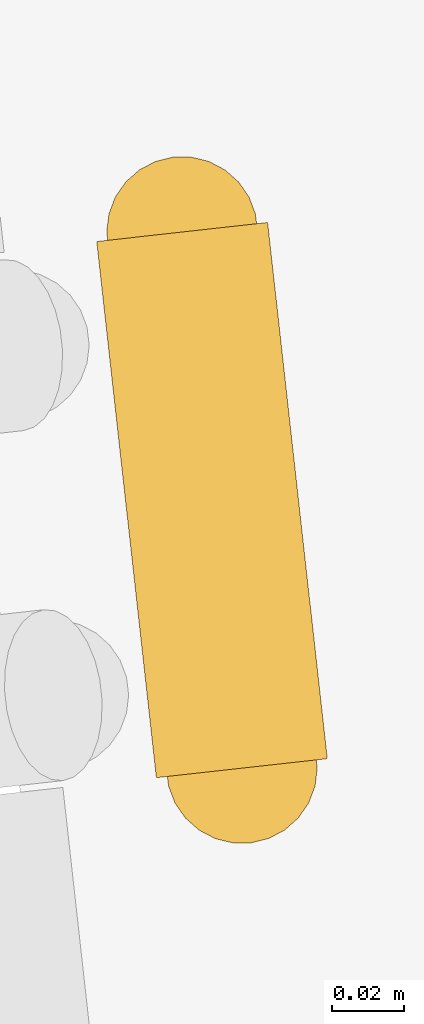
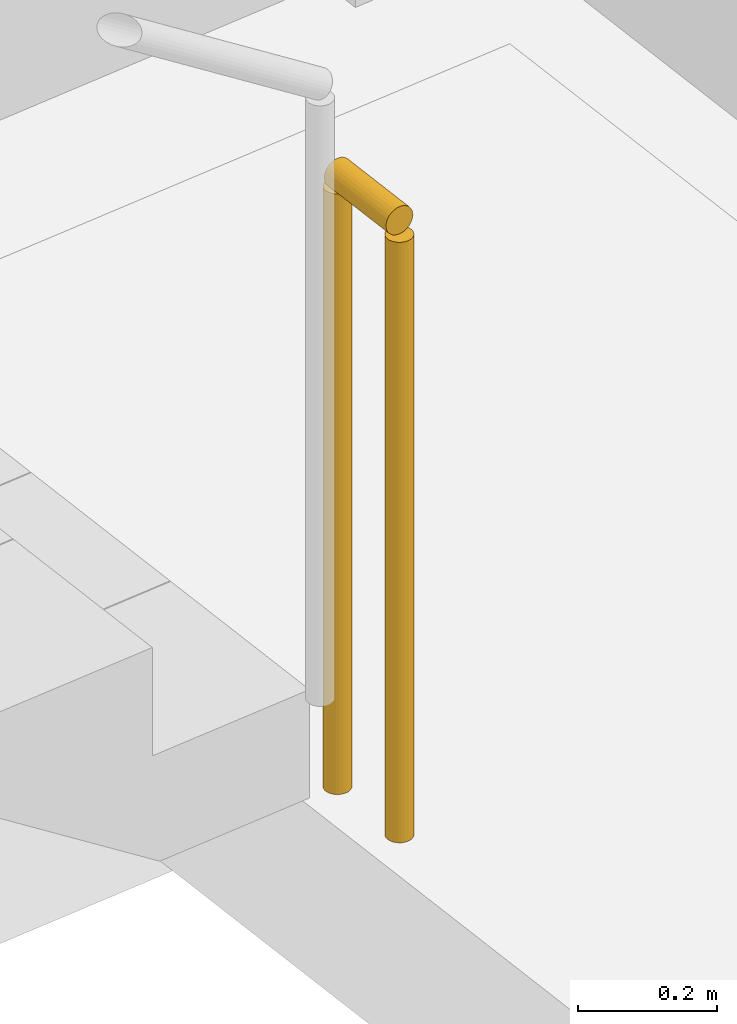
# One storey, part 16 of 20: 1 railing.
"""IFC4 building model written with IfcOpenShell, lengths in metres."""

import ifcopenshell
import ifcopenshell.guid

model = None  # the IFC model being written
_history = None  # IfcOwnerHistory: only IFC2X3 demands one
_inside = {}  # id of a spatial element -> (the spatial element, [elements in it])
_under = {}  # id of a project, library or spatial element -> (it, [spatial elements below it])
_declared = {}  # id of a project -> (the project, [libraries it declares])
_typed = {}  # id of a type object -> (the type object, [elements of that type])
_made_of = {}  # id of a material, layer set ... -> (it, [elements and type objects made of it])


def new_model(schema):
    """Start an empty IFC model of exactly this schema.

    Asked for "IFC4X3", IfcOpenShell would pick the latest addendum, in which some entities
    have other attributes; the version numbers below select the first issue.
    IFC2X3 requires an IfcOwnerHistory on every rooted entity: one is made here for all.
    """
    global model, _history
    if schema == "IFC4X3":
        model = ifcopenshell.file(schema_version=(4, 3, 0, 0))
    else:
        model = ifcopenshell.file(schema=schema)
    _inside.clear()
    _under.clear()
    _declared.clear()
    _typed.clear()
    _made_of.clear()
    _history = None
    if model.schema == "IFC2X3":
        org = make("IfcOrganization", Name="unknown")
        user = make(
            "IfcPersonAndOrganization",
            ThePerson=make("IfcPerson", FamilyName="unknown"),
            TheOrganization=org,
        )
        app = make(
            "IfcApplication",
            ApplicationDeveloper=org,
            Version="unknown",
            ApplicationFullName="unknown",
            ApplicationIdentifier="unknown",
        )
        _history = make(
            "IfcOwnerHistory",
            OwningUser=user,
            OwningApplication=app,
            ChangeAction="ADDED",
            CreationDate=0,
        )
    return model


def make(cls, **values):
    """One entity of the class cls with the attributes given. An attribute that is None is left unset."""
    return model.create_entity(
        cls, **{name: value for name, value in values.items() if value is not None}
    )


def rooted(cls, **values):
    """An entity with a GlobalId (a new one), such as an element, a storey or a relation."""
    return make(cls, GlobalId=ifcopenshell.guid.new(), OwnerHistory=_history, **values)


def si_unit(unit_type, name, prefix=None):
    """IfcSIUnit, for example si_unit("LENGTHUNIT", "METRE", prefix="MILLI")."""
    return make("IfcSIUnit", UnitType=unit_type, Prefix=prefix, Name=name)


def assignment(units):
    """IfcUnitAssignment: the units of a project."""
    return None if units is None else make("IfcUnitAssignment", Units=units)


def point(xyz):
    """IfcCartesianPoint."""
    return None if xyz is None else make("IfcCartesianPoint", Coordinates=xyz)


def direction(xyz):
    """IfcDirection."""
    return None if xyz is None else make("IfcDirection", DirectionRatios=xyz)


def frame(location, z_axis=None, x_axis=None):
    """IfcAxis2Placement3D, a coordinate frame: its origin and axes. An axis left out is left unset."""
    return make(
        "IfcAxis2Placement3D",
        Location=point(location),
        Axis=direction(z_axis),
        RefDirection=direction(x_axis),
    )


def frame_2d(location, x_axis=None):
    """IfcAxis2Placement2D, a coordinate frame in the plane: its origin and x axis."""
    return make(
        "IfcAxis2Placement2D", Location=point(location), RefDirection=direction(x_axis)
    )


def origin():
    """The frame at (0, 0, 0) with its axes left unset."""
    return frame((0.0, 0.0, 0.0))


def origin_2d():
    """The frame at (0, 0) in the plane with its x axis left unset."""
    return frame_2d((0.0, 0.0))


def place(relative_to, where):
    """IfcLocalPlacement: puts the frame where relative to a parent placement (None: the world)."""
    return make(
        "IfcLocalPlacement", PlacementRelTo=relative_to, RelativePlacement=where
    )


def context(
    kind, dimensions, precision=None, world=None, true_north=None, identifier=None
):
    """IfcGeometricRepresentationContext, for example the 3D "Model" context."""
    return make(
        "IfcGeometricRepresentationContext",
        ContextIdentifier=identifier,
        ContextType=kind,
        CoordinateSpaceDimension=dimensions,
        Precision=precision,
        WorldCoordinateSystem=world,
        TrueNorth=true_north,
    )


def subcontext(parent, identifier, kind, view, scale=None):
    """IfcGeometricRepresentationSubContext, for example "Body" below "Model"."""
    return make(
        "IfcGeometricRepresentationSubContext",
        ContextIdentifier=identifier,
        ContextType=kind,
        ParentContext=parent,
        TargetScale=scale,
        TargetView=view,
    )


def project(units=None, contexts=None):
    """IfcProject with its units and contexts."""
    return rooted(
        "IfcProject",
        Name="project",
        RepresentationContexts=contexts,
        UnitsInContext=assignment(units),
    )


def spatial(cls, under=None, at=None, **own):
    """A site, building, storey or space (cls), placed at a placement, below another one or the project."""
    s = rooted(cls, ObjectPlacement=at, **own)
    if under is not None:
        _under.setdefault(under.id(), (under, []))[1].append(s)
    return s


def profile(cls, at=None, kind="AREA", **sizes):
    """A parametric profile (cls). Its sizes go by their IFC names, for example OverallWidth=200.0."""
    return make(cls, ProfileType=kind, Position=at, **sizes)


def circle(**sizes):
    """IfcCircleProfileDef."""
    return profile("IfcCircleProfileDef", **sizes)


def extrude(swept, where, along, depth):
    """IfcExtrudedAreaSolid: the profile swept, set in the frame where, extruded along a direction by depth."""
    return make(
        "IfcExtrudedAreaSolid",
        SweptArea=swept,
        Position=where,
        ExtrudedDirection=direction(along),
        Depth=depth,
    )


def shape(context_of_items, identifier, shape_type, items):
    """IfcShapeRepresentation: the items that make up one representation, for example the "Body"."""
    return make(
        "IfcShapeRepresentation",
        ContextOfItems=context_of_items,
        RepresentationIdentifier=identifier,
        RepresentationType=shape_type,
        Items=items,
    )


def material(Name=None, Category=None):
    """IfcMaterial."""
    return make("IfcMaterial", Name=Name, Category=Category)


def made_of(thing, what):
    """Note that an element or type object is made of a material, layer set ...; save() writes the relation."""
    if what is not None:
        _made_of.setdefault(what.id(), (what, []))[1].append(thing)
    return thing


def type_object(cls, material=None, **own):
    """A type object (cls), such as IfcWallType, which elements share."""
    return made_of(rooted(cls, **own), material)


def element(
    cls,
    number,
    at=None,
    inside=None,
    cuts=None,
    type_object=None,
    material=None,
    context=None,
    identifier="Body",
    shape_type=None,
    held_by="IfcProductDefinitionShape",
    body=None,
    shapes=None,
    **own,
):
    """One element of the class cls, such as IfcWall. Its Tag is "e" and its number.

    at: its placement. inside: the storey or other place that contains it. cuts: it is an
    opening in that element (IfcRelVoidsElement). A single representation is given by context,
    identifier, shape_type and body (its items); several are given by shapes. held_by: the class
    of the entity that holds the representations. save() writes the other relations.
    """
    e = rooted(cls, Tag="e%d" % number, ObjectPlacement=at, **own)
    if body is not None:
        shapes = [shape(context, identifier, shape_type, body)]
    if shapes is not None:
        e.Representation = make(held_by, Representations=shapes)
    if inside is not None:
        _inside.setdefault(inside.id(), (inside, []))[1].append(e)
    if cuts is not None:
        rooted(
            "IfcRelVoidsElement", RelatingBuildingElement=cuts, RelatedOpeningElement=e
        )
    if type_object is not None:
        _typed.setdefault(type_object.id(), (type_object, []))[1].append(e)
    return made_of(e, material)


def aggregate(whole, parts):
    """IfcRelAggregates: a whole, such as a stair, and the parts it consists of."""
    return rooted("IfcRelAggregates", RelatingObject=whole, RelatedObjects=parts)


def save(model, path):
    """Write the relations noted so far, then the file.

    IfcRelAggregates (storeys below a building ...), IfcRelContainedInSpatialStructure (elements
    in a storey), IfcRelDefinesByType, IfcRelAssociatesMaterial and IfcRelDeclares: one each for
    every whole, place, type object, material and project.
    """
    for whole, parts in _under.values():
        aggregate(whole, parts)
    for where, things in _inside.values():
        rooted(
            "IfcRelContainedInSpatialStructure",
            RelatedElements=things,
            RelatingStructure=where,
        )
    for kind, things in _typed.values():
        rooted("IfcRelDefinesByType", RelatedObjects=things, RelatingType=kind)
    for what, things in _made_of.values():
        rooted("IfcRelAssociatesMaterial", RelatedObjects=things, RelatingMaterial=what)
    for by, libraries in _declared.values():
        rooted("IfcRelDeclares", RelatingContext=by, RelatedDefinitions=libraries)
    model.write(path)


model = new_model("IFC4")

# Units and contexts
model_context = context("Model", 3, precision=1e-05, world=origin(), true_north=direction((0.0, 1.0)))
body_context = subcontext(model_context, "Body", "Model", "MODEL_VIEW")
ifc_project = project(units=[si_unit("LENGTHUNIT", "METRE"), si_unit("AREAUNIT", "SQUARE_METRE"), si_unit("VOLUMEUNIT", "CUBIC_METRE"), si_unit("PLANEANGLEUNIT", "RADIAN"), si_unit("MASSUNIT", "GRAM", prefix="KILO")], contexts=[model_context])

# Site, building, storey
site_placement = place(None, origin())
site = spatial("IfcSite", under=ifc_project, at=site_placement, CompositionType="ELEMENT")
building_placement = place(site_placement, origin())
building = spatial("IfcBuilding", under=site, at=building_placement, Name="Cantera Rosa Tower", CompositionType="ELEMENT")
storey_placement = place(building_placement, frame((0.0, 0.0, 42.5)))
storey = spatial("IfcBuildingStorey", under=building, at=storey_placement, Name="L07", CompositionType="ELEMENT", Elevation=42.5)

# Railing
ifc_material = material(Name="Steel S355J2 (EN 10025-2)", Category="steel")
railing_type = type_object("IfcRailingType", Name="STAIR GUARD 1100", PredefinedType="GUARDRAIL", material=ifc_material)
railing_placement = place(storey_placement, frame((-11.567138671875, 10.634521484375, 0.0)))
element("IfcRailing", 1, at=railing_placement, inside=storey, type_object=railing_type, Name="L07 ST-12 stair guard 3", PredefinedType="GUARDRAIL", context=body_context, shape_type="SweptSolid", body=[
    extrude(circle(Radius=0.02392578125, at=origin_2d()), frame((0.0, 0.0, 1.076171875), z_axis=(0.110610055588, -0.993863881828, 0.0), x_axis=(0.993863881828, 0.110610055588, 0.0)), (0.0, 0.0, 1.0), 0.150146484375),
    extrude(circle(Radius=0.02099609375, at=origin_2d()), origin(), (0.0, 0.0, 1.0), 1.052001953125),
    extrude(circle(Radius=0.02099609375, at=origin_2d()), frame((0.0166015625, -0.149169921875, 0.0)), (0.0, 0.0, 1.0), 1.052001953125),
])

save(model, "model.ifc")
